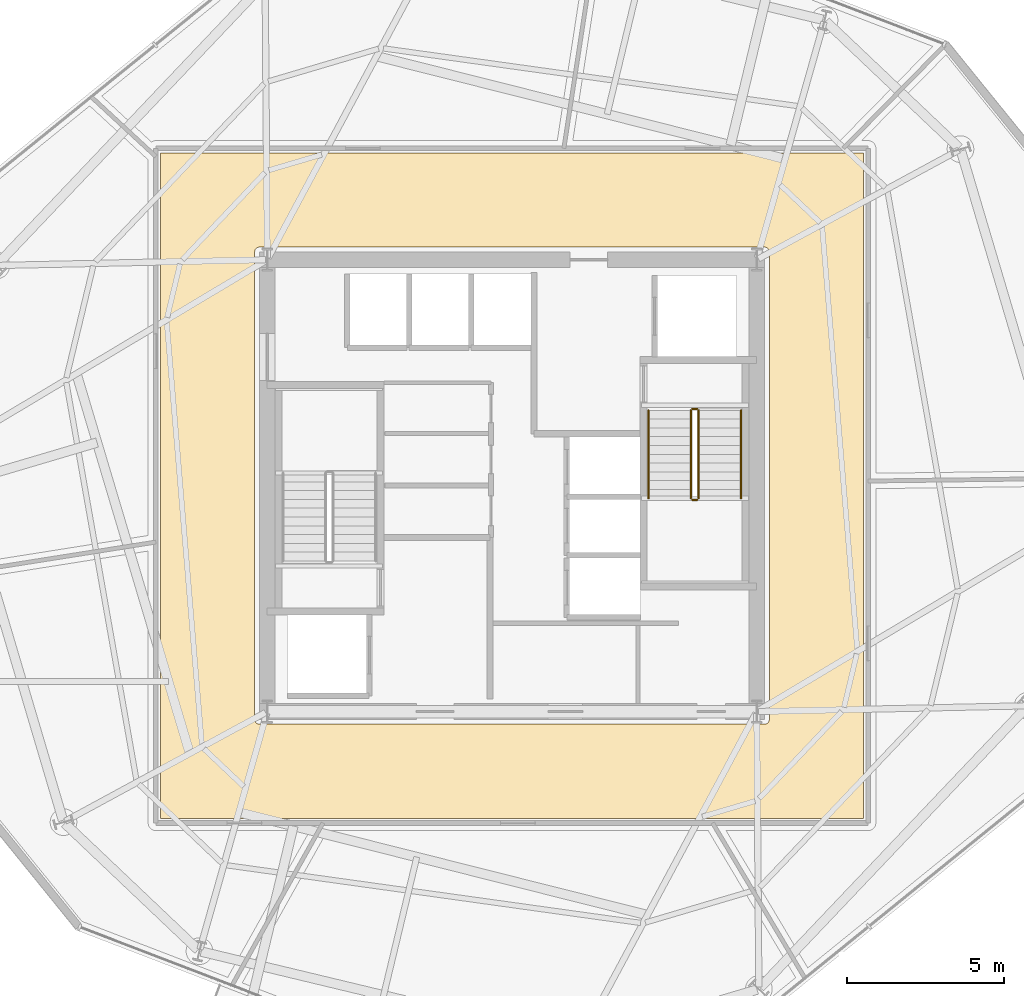
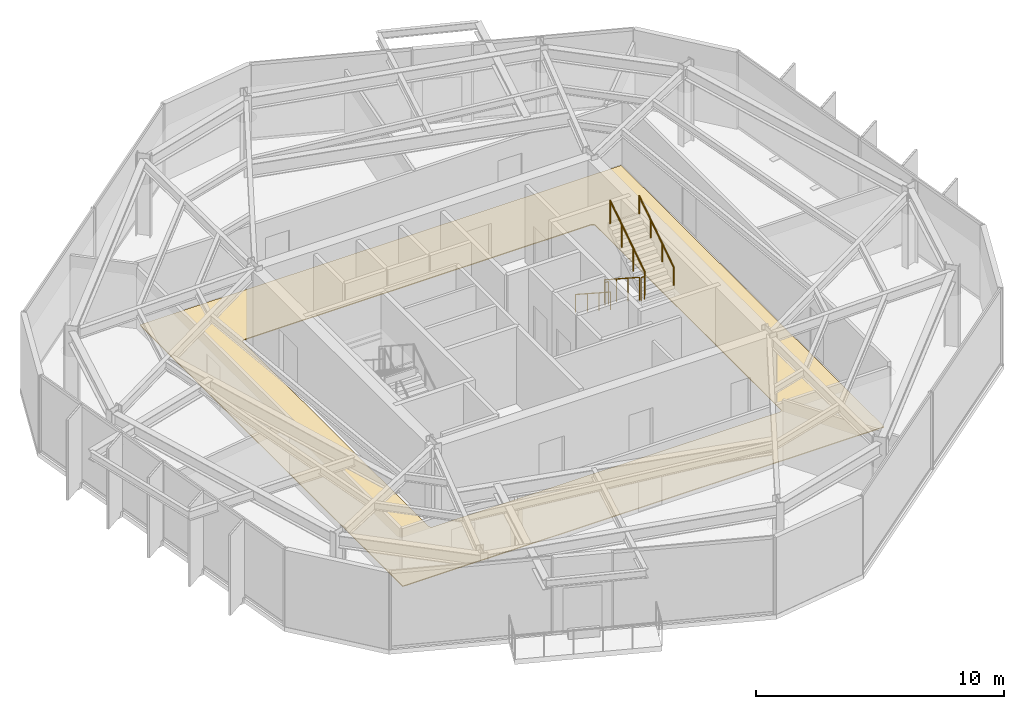
# One storey, part 11 of 12: 6 railings, 1 covering.
"""IFC4 building model written with IfcOpenShell, lengths in metres."""

from ifc_helpers import new_model, si_unit, direction, frame, origin, origin_2d, place, context, subcontext, project, spatial, polyline, circle, outline, extrude, material, layer, layer_set, type_object, element, save


model = new_model("IFC4")

# Units and contexts
model_context = context("Model", 3, precision=1e-05, world=origin(), true_north=direction((0.0, 1.0)))
body_context = subcontext(model_context, "Body", "Model", "MODEL_VIEW")
ifc_project = project(units=[si_unit("LENGTHUNIT", "METRE"), si_unit("AREAUNIT", "SQUARE_METRE"), si_unit("VOLUMEUNIT", "CUBIC_METRE"), si_unit("PLANEANGLEUNIT", "RADIAN"), si_unit("MASSUNIT", "GRAM", prefix="KILO")], contexts=[model_context])

# Site, building, storey
site_placement = place(None, origin())
site = spatial("IfcSite", under=ifc_project, at=site_placement, CompositionType="ELEMENT")
building_placement = place(site_placement, origin())
building = spatial("IfcBuilding", under=site, at=building_placement, Name="Kranzbogen Civic Tower", CompositionType="ELEMENT")
storey_placement = place(building_placement, frame((0.0, 0.0, 180.800048828125)))
storey = spatial("IfcBuildingStorey", under=building, at=storey_placement, Name="L43", CompositionType="ELEMENT", Elevation=180.800048828125)

# Covering
ifc_material_1 = material(Name="Honed Natural Stone Flooring", Category="masonry")
ifc_layer = layer(ifc_material_1, 0.0400390625, Name="Honed Natural Stone Flooring")
ifc_layer_set = layer_set([ifc_layer], Name="Honed Natural Stone Flooring")
covering_type = type_object("IfcCoveringType", Name="Honed Limestone Lobby Flooring 40 mm", PredefinedType="FLOORING", material=ifc_layer_set)
covering_placement = place(storey_placement, origin())
element("IfcCovering", 1, at=covering_placement, inside=storey, type_object=covering_type, Name="L43 concourse stone flooring 1", PredefinedType="FLOORING", context=body_context, shape_type="SweptSolid", body=[
    extrude(outline(polyline([(13.800048828125, 35.60009765625), (36.199951171875, 35.60009765625), (36.199951171875, 14.39990234375), (13.800048828125, 14.39990234375), (13.800048828125, 35.60009765625)]), holes=[polyline([(33.050048828125, 32.60009765625), (33.06494140625, 32.59912109375), (33.0791015625, 32.596923828125), (33.093994140625, 32.593994140625), (33.10693359375, 32.589111328125), (33.12109375, 32.58203125), (33.133056640625, 32.574951171875), (33.14501953125, 32.56591796875), (33.156005859375, 32.555908203125), (33.166015625, 32.544921875), (33.175048828125, 32.532958984375), (33.181884765625, 32.52099609375), (33.18896484375, 32.507080078125), (33.194091796875, 32.493896484375), (33.197021484375, 32.47900390625), (33.198974609375, 32.465087890625), (33.199951171875, 32.449951171875), (33.199951171875, 17.550048828125), (33.198974609375, 17.534912109375), (33.197021484375, 17.52099609375), (33.194091796875, 17.506103515625), (33.18896484375, 17.492919921875), (33.181884765625, 17.47900390625), (33.175048828125, 17.467041015625), (33.166015625, 17.455078125), (33.156005859375, 17.444091796875), (33.14501953125, 17.43408203125), (33.133056640625, 17.425048828125), (33.12109375, 17.41796875), (33.10693359375, 17.410888671875), (33.093994140625, 17.406005859375), (33.0791015625, 17.403076171875), (33.06494140625, 17.40087890625), (33.050048828125, 17.39990234375), (16.949951171875, 17.39990234375), (16.93505859375, 17.40087890625), (16.9208984375, 17.403076171875), (16.906005859375, 17.406005859375), (16.89306640625, 17.410888671875), (16.87890625, 17.41796875), (16.866943359375, 17.425048828125), (16.85498046875, 17.43408203125), (16.843994140625, 17.444091796875), (16.833984375, 17.455078125), (16.824951171875, 17.467041015625), (16.818115234375, 17.47900390625), (16.81103515625, 17.492919921875), (16.805908203125, 17.506103515625), (16.802978515625, 17.52099609375), (16.801025390625, 17.534912109375), (16.800048828125, 17.550048828125), (16.800048828125, 32.449951171875), (16.801025390625, 32.465087890625), (16.802978515625, 32.47900390625), (16.805908203125, 32.493896484375), (16.81103515625, 32.507080078125), (16.818115234375, 32.52099609375), (16.824951171875, 32.532958984375), (16.833984375, 32.544921875), (16.843994140625, 32.555908203125), (16.85498046875, 32.56591796875), (16.866943359375, 32.574951171875), (16.87890625, 32.58203125), (16.89306640625, 32.589111328125), (16.906005859375, 32.593994140625), (16.9208984375, 32.596923828125), (16.93505859375, 32.59912109375), (16.949951171875, 32.60009765625), (33.050048828125, 32.60009765625)])]), origin(), (0.0, 0.0, 1.0), 0.0400390625),
])

# Railings
ifc_material_2 = material(Name="Steel S355", Category="steel")
railing_type_1 = type_object("IfcRailingType", Name="Internal Stair and Void Steel Guardrail 1150", PredefinedType="GUARDRAIL", material=ifc_material_2)
railing_1_placement = place(storey_placement, frame((30.699951171875, 27.39990234375, 0.181884765625)))
element("IfcRailing", 2, at=railing_1_placement, inside=storey, type_object=railing_type_1, Name="L43 ST-T2 stair guard 1", PredefinedType="GUARDRAIL", context=body_context, shape_type="SweptSolid", body=[
    extrude(circle(Radius=0.02392578125, at=origin_2d()), frame((0.0, 0.0, 1.1259765625), z_axis=(0.0, -0.83868413941, 0.544618136222), x_axis=(1.0, 0.0, 0.0)), (0.0, 0.0, 1.0), 3.33837890625),
    extrude(circle(Radius=0.02099609375, at=origin_2d()), origin(), (0.0, 0.0, 1.0), 1.101806640625),
    extrude(circle(Radius=0.02099609375, at=origin_2d()), frame((0.0, -0.933349609375, 0.60595703125)), (0.0, 0.0, 1.0), 1.101806640625),
    extrude(circle(Radius=0.02099609375, at=origin_2d()), frame((0.0, -1.866455078125, 1.212158203125)), (0.0, 0.0, 1.0), 1.101806640625),
    extrude(circle(Radius=0.02099609375, at=origin_2d()), frame((0.0, -2.7998046875, 1.818115234375)), (0.0, 0.0, 1.0), 1.101806640625),
])
railing_2_placement = place(storey_placement, frame((30.75, 24.550048828125, 2.0)))
element("IfcRailing", 3, at=railing_2_placement, inside=storey, type_object=railing_type_1, Name="L43 ST-T2 stair guard 2", PredefinedType="GUARDRAIL", context=body_context, shape_type="SweptSolid", body=[
    extrude(circle(Radius=0.02392578125, at=origin_2d()), frame((0.0, 0.0, 1.1259765625), z_axis=(1.0, 0.0, 0.0), x_axis=(0.0, 1.0, 0.0)), (0.0, 0.0, 1.0), 0.14990234375),
    extrude(circle(Radius=0.02099609375, at=origin_2d()), origin(), (0.0, 0.0, 1.0), 1.101806640625),
    extrude(circle(Radius=0.02099609375, at=origin_2d()), frame((0.14990234375, 0.0, 0.0)), (0.0, 0.0, 1.0), 1.101806640625),
])
railing_3_placement = place(storey_placement, frame((30.949951171875, 24.60009765625, 2.181884765625)))
element("IfcRailing", 4, at=railing_3_placement, inside=storey, type_object=railing_type_1, Name="L43 ST-T2 stair guard 3", PredefinedType="GUARDRAIL", context=body_context, shape_type="SweptSolid", body=[
    extrude(circle(Radius=0.02392578125, at=origin_2d()), frame((0.0, 0.0, 1.1259765625), z_axis=(0.0, 0.83868413941, 0.544618136222), x_axis=(-1.0, 0.0, 0.0)), (0.0, 0.0, 1.0), 3.33837890625),
    extrude(circle(Radius=0.02099609375, at=origin_2d()), origin(), (0.0, 0.0, 1.0), 1.101806640625),
    extrude(circle(Radius=0.02099609375, at=origin_2d()), frame((0.0, 0.933349609375, 0.60595703125)), (0.0, 0.0, 1.0), 1.101806640625),
    extrude(circle(Radius=0.02099609375, at=origin_2d()), frame((0.0, 1.866455078125, 1.212158203125)), (0.0, 0.0, 1.0), 1.101806640625),
    extrude(circle(Radius=0.02099609375, at=origin_2d()), frame((0.0, 2.7998046875, 1.818115234375)), (0.0, 0.0, 1.0), 1.101806640625),
])
railing_4_placement = place(storey_placement, frame((30.75, 27.449951171875, 0.0)))
element("IfcRailing", 5, at=railing_4_placement, inside=storey, type_object=railing_type_1, Name="L43 ST-T2 stair guard 4", PredefinedType="GUARDRAIL", context=body_context, shape_type="SweptSolid", body=[
    extrude(circle(Radius=0.02392578125, at=origin_2d()), frame((0.0, 0.0, 1.1259765625), z_axis=(1.0, 0.0, 0.0), x_axis=(0.0, 1.0, 0.0)), (0.0, 0.0, 1.0), 0.14990234375),
    extrude(circle(Radius=0.02099609375, at=origin_2d()), origin(), (0.0, 0.0, 1.0), 1.101806640625),
    extrude(circle(Radius=0.02099609375, at=origin_2d()), frame((0.14990234375, 0.0, 0.0)), (0.0, 0.0, 1.0), 1.101806640625),
])
ifc_material_3 = material(Name="Pale Anodised Aluminium", Category="aluminium")
railing_type_2 = type_object("IfcRailingType", Name="Tubular Stainless Stair Wall Handrail 900", PredefinedType="HANDRAIL", material=ifc_material_3)
railing_5_placement = place(storey_placement, frame((29.35009765625, 27.39990234375, 0.181884765625)))
element("IfcRailing", 6, at=railing_5_placement, inside=storey, type_object=railing_type_2, Name="L43 ST-T2 stair handrail 1", PredefinedType="HANDRAIL", context=body_context, shape_type="SweptSolid", body=[
    extrude(circle(Radius=0.02392578125, at=origin_2d()), frame((0.0, 0.0, 0.8759765625), z_axis=(0.0, -0.83868413941, 0.544618136222), x_axis=(1.0, 0.0, 0.0)), (0.0, 0.0, 1.0), 3.33837890625),
    extrude(circle(Radius=0.02099609375, at=origin_2d()), origin(), (0.0, 0.0, 1.0), 0.851806640625),
    extrude(circle(Radius=0.02099609375, at=origin_2d()), frame((0.0, -0.933349609375, 0.60595703125)), (0.0, 0.0, 1.0), 0.851806640625),
    extrude(circle(Radius=0.02099609375, at=origin_2d()), frame((0.0, -1.866455078125, 1.212158203125)), (0.0, 0.0, 1.0), 0.851806640625),
    extrude(circle(Radius=0.02099609375, at=origin_2d()), frame((0.0, -2.7998046875, 1.818115234375)), (0.0, 0.0, 1.0), 0.851806640625),
])
railing_6_placement = place(storey_placement, frame((32.300048828125, 24.60009765625, 2.181884765625)))
element("IfcRailing", 7, at=railing_6_placement, inside=storey, type_object=railing_type_2, Name="L43 ST-T2 stair handrail 2", PredefinedType="HANDRAIL", context=body_context, shape_type="SweptSolid", body=[
    extrude(circle(Radius=0.02392578125, at=origin_2d()), frame((0.0, 0.0, 0.8759765625), z_axis=(0.0, 0.83868413941, 0.544618136222), x_axis=(-1.0, 0.0, 0.0)), (0.0, 0.0, 1.0), 3.33837890625),
    extrude(circle(Radius=0.02099609375, at=origin_2d()), origin(), (0.0, 0.0, 1.0), 0.851806640625),
    extrude(circle(Radius=0.02099609375, at=origin_2d()), frame((0.0, 0.933349609375, 0.60595703125)), (0.0, 0.0, 1.0), 0.851806640625),
    extrude(circle(Radius=0.02099609375, at=origin_2d()), frame((0.0, 1.866455078125, 1.212158203125)), (0.0, 0.0, 1.0), 0.851806640625),
    extrude(circle(Radius=0.02099609375, at=origin_2d()), frame((0.0, 2.7998046875, 1.818115234375)), (0.0, 0.0, 1.0), 0.851806640625),
])

save(model, "model.ifc")
